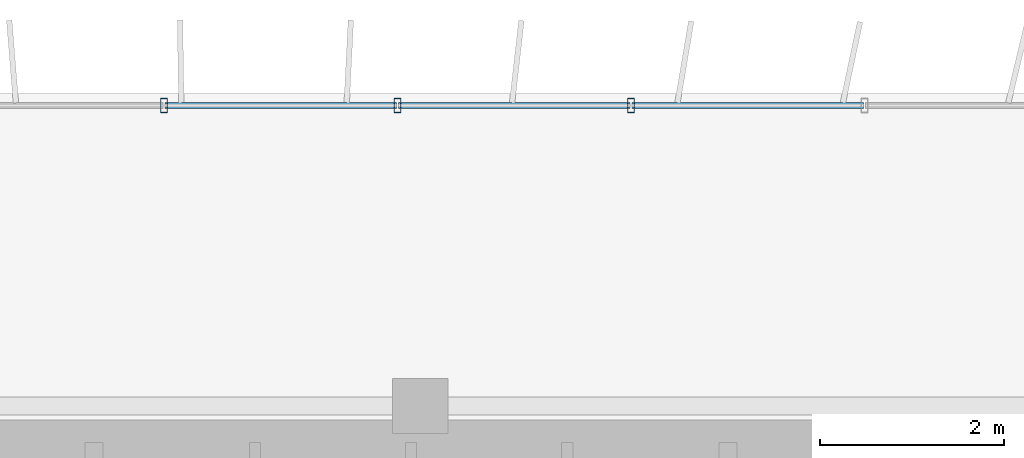
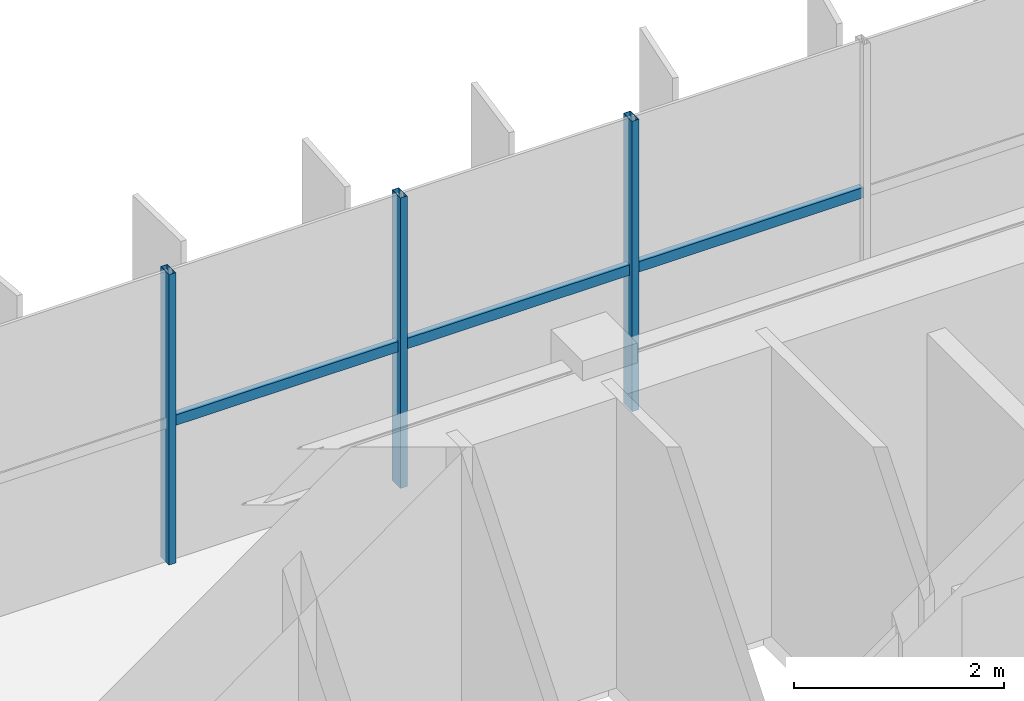
# One storey, part 11 of 22: 6 members, 1 element without a shape of its own.
"""IFC4 building model written with IfcOpenShell, lengths in metres."""

from ifc_helpers import new_model, si_unit, direction, frame, origin, origin_2d, place, context, subcontext, project, spatial, hollow_rectangle, extrude, source, transform, mapped, material, material_profile, profile_set, type_object, element, aggregate, save


model = new_model("IFC4")

# Units and contexts
model_context = context("Model", 3, precision=1e-05, world=origin(), true_north=direction((0.0, 1.0)))
body_context = subcontext(model_context, "Body", "Model", "MODEL_VIEW")
ifc_project = project(units=[si_unit("LENGTHUNIT", "METRE"), si_unit("AREAUNIT", "SQUARE_METRE"), si_unit("VOLUMEUNIT", "CUBIC_METRE"), si_unit("PLANEANGLEUNIT", "RADIAN"), si_unit("MASSUNIT", "GRAM", prefix="KILO")], contexts=[model_context])

# Site, building, storey
site_placement = place(None, origin())
site = spatial("IfcSite", under=ifc_project, at=site_placement, CompositionType="ELEMENT")
building_placement = place(site_placement, origin())
building = spatial("IfcBuilding", under=site, at=building_placement, Name="Trelvane Seafront Commons", CompositionType="ELEMENT")
storey_placement = place(building_placement, frame((0.0, 0.0, 281.10009765625)))
storey = spatial("IfcBuildingStorey", under=building, at=storey_placement, Name="L73", CompositionType="ELEMENT", Elevation=281.10009765625)

# Curtain wall, members
ifc_material = material(Name="Anodised pale-silver aluminium", Category="aluminium")
curtain_wall_type = type_object("IfcCurtainWallType", Name="ARCH-CW5-UPTOWER", PredefinedType="NOTDEFINED", material=ifc_material)
curtain_wall_placement = place(storey_placement, origin())
curtain_wall = element("IfcCurtainWall", 1, at=curtain_wall_placement, inside=storey, type_object=curtain_wall_type, Name="CW-L73-0117", PredefinedType="NOTDEFINED")
ifc_material_profile_1 = material_profile(ifc_material, hollow_rectangle(XDim=0.070068359375, YDim=0.1201171875, WallThickness=0.00390625, at=origin_2d()), Name="TRAN-70x120x4")
ifc_profile_set_1 = profile_set([ifc_material_profile_1], Name="Anodised pale-silver aluminium")
member_type_1 = type_object("IfcMemberType", Name="ARCH-CW-TRAN-120", PredefinedType="USERDEFINED", material=ifc_profile_set_1)
shared_shape_1 = source(origin(), body_context, "Body", "SweptSolid", [
    extrude(hollow_rectangle(XDim=0.070068359375, YDim=0.1201171875, WallThickness=0.00390625, at=origin_2d()), origin(), (0.0, 0.0, 1.0), 2.51708984375),
])
member_1_placement = place(storey_placement, frame((43.56494140625, 48.3701171875, 1.617919921875), z_axis=(1.0, 0.0, 0.0), x_axis=(0.0, 1.0, 0.0)))
member_1 = element("IfcMember", 2, at=member_1_placement, type_object=member_type_1, Name="CW-L73-0117-T11", ObjectType="TRANSOM", PredefinedType="USERDEFINED", context=body_context, shape_type="MappedRepresentation", body=[
    mapped(shared_shape_1, transform((0.0, 0.0, 0.0), x_axis=(1.0, 0.0, 0.0), y_axis=(0.0, 1.0, 0.0), z_axis=(0.0, 0.0, 1.0), scale=1.0)),
])
member_2_placement = place(storey_placement, frame((46.106201171875, 48.3701171875, 1.617919921875), z_axis=(1.0, 0.0, 0.0), x_axis=(0.0, 1.0, 0.0)))
member_2 = element("IfcMember", 3, at=member_2_placement, type_object=member_type_1, Name="CW-L73-0117-T12", ObjectType="TRANSOM", PredefinedType="USERDEFINED", context=body_context, shape_type="MappedRepresentation", body=[
    mapped(shared_shape_1, transform((0.0, 0.0, 0.0), x_axis=(1.0, 0.0, 0.0), y_axis=(0.0, 1.0, 0.0), z_axis=(0.0, 0.0, 1.0), scale=1.0)),
])
shared_shape_2 = source(origin(), body_context, "Body", "SweptSolid", [
    extrude(hollow_rectangle(XDim=0.070068359375, YDim=0.1201171875, WallThickness=0.00390625, at=origin_2d()), origin(), (0.0, 0.0, 1.0), 2.517333984375),
])
member_3_placement = place(storey_placement, frame((41.023681640625, 48.3701171875, 1.617919921875), z_axis=(1.0, 0.0, 0.0), x_axis=(0.0, 1.0, 0.0)))
member_3 = element("IfcMember", 4, at=member_3_placement, type_object=member_type_1, Name="CW-L73-0117-T10", ObjectType="TRANSOM", PredefinedType="USERDEFINED", context=body_context, shape_type="MappedRepresentation", body=[
    mapped(shared_shape_2, transform((0.0, 0.0, 0.0), x_axis=(1.0, 0.0, 0.0), y_axis=(0.0, 1.0, 0.0), z_axis=(0.0, 0.0, 1.0), scale=1.0)),
])
ifc_material_profile_2 = material_profile(ifc_material, hollow_rectangle(XDim=0.074951171875, YDim=0.159912109375, WallThickness=0.00390625, at=origin_2d()), Name="MULL-75x160x4")
ifc_profile_set_2 = profile_set([ifc_material_profile_2], Name="Anodised pale-silver aluminium")
member_type_2 = type_object("IfcMemberType", Name="ARCH-CW-MULL-160", PredefinedType="MULLION", material=ifc_profile_set_2)
shared_shape_3 = source(origin(), body_context, "Body", "SweptSolid", [
    extrude(hollow_rectangle(XDim=0.074951171875, YDim=0.159912109375, WallThickness=0.00390625, at=origin_2d()), origin(), (0.0, 0.0, 1.0), 3.369873046875),
])
member_4_placement = place(storey_placement, frame((41.01171875, 48.3701171875, 0.0), z_axis=(0.0, 0.0, 1.0), x_axis=(1.0, 0.0, 0.0)))
member_4 = element("IfcMember", 5, at=member_4_placement, type_object=member_type_2, Name="CW-L73-0117-M10", PredefinedType="MULLION", context=body_context, shape_type="MappedRepresentation", body=[
    mapped(shared_shape_3, transform((0.0, 0.0, 0.0), x_axis=(1.0, 0.0, 0.0), y_axis=(0.0, 1.0, 0.0), z_axis=(0.0, 0.0, 1.0), scale=1.0)),
])
member_5_placement = place(storey_placement, frame((43.552978515625, 48.3701171875, 0.0), z_axis=(0.0, 0.0, 1.0), x_axis=(1.0, 0.0, 0.0)))
member_5 = element("IfcMember", 6, at=member_5_placement, type_object=member_type_2, Name="CW-L73-0117-M11", PredefinedType="MULLION", context=body_context, shape_type="MappedRepresentation", body=[
    mapped(shared_shape_3, transform((0.0, 0.0, 0.0), x_axis=(1.0, 0.0, 0.0), y_axis=(0.0, 1.0, 0.0), z_axis=(0.0, 0.0, 1.0), scale=1.0)),
])
member_6_placement = place(storey_placement, frame((46.093994140625, 48.3701171875, 0.0), z_axis=(0.0, 0.0, 1.0), x_axis=(1.0, 0.0, 0.0)))
member_6 = element("IfcMember", 7, at=member_6_placement, type_object=member_type_2, Name="CW-L73-0117-M12", PredefinedType="MULLION", context=body_context, shape_type="MappedRepresentation", body=[
    mapped(shared_shape_3, transform((0.0, 0.0, 0.0), x_axis=(1.0, 0.0, 0.0), y_axis=(0.0, 1.0, 0.0), z_axis=(0.0, 0.0, 1.0), scale=1.0)),
])
aggregate(curtain_wall, [member_4, member_5, member_6, member_3, member_1, member_2])

save(model, "model.ifc")
